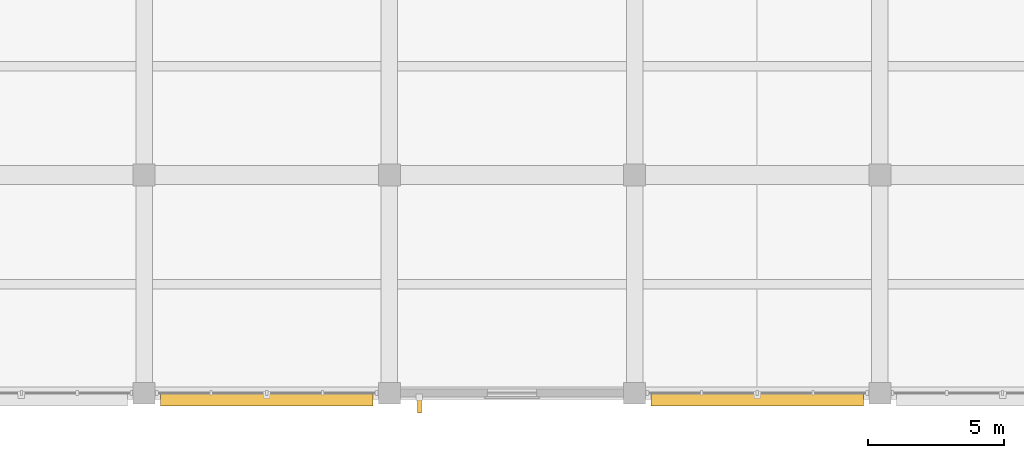
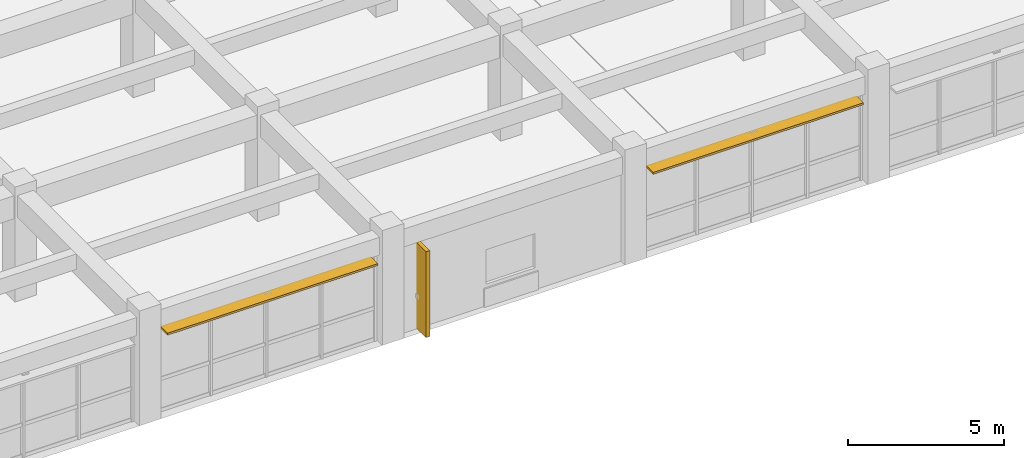
# One storey, part 44 of 50: 3 shading devices.
"""IFC4 building model written with IfcOpenShell, lengths in metres."""

from ifc_helpers import new_model, si_unit, direction, frame, frame_2d, origin, place, context, subcontext, project, spatial, rectangle, extrude, material, layer, layer_set, type_object, element, save


model = new_model("IFC4")

# Units and contexts
model_context = context("Model", 3, precision=1e-05, world=origin(), true_north=direction((0.0, 1.0)))
body_context = subcontext(model_context, "Body", "Model", "MODEL_VIEW")
ifc_project = project(units=[si_unit("LENGTHUNIT", "METRE"), si_unit("AREAUNIT", "SQUARE_METRE"), si_unit("VOLUMEUNIT", "CUBIC_METRE"), si_unit("PLANEANGLEUNIT", "RADIAN"), si_unit("MASSUNIT", "GRAM", prefix="KILO")], contexts=[model_context])

# Site, building, storey
site_placement = place(None, origin())
site = spatial("IfcSite", under=ifc_project, at=site_placement, CompositionType="ELEMENT")
building_placement = place(site_placement, origin())
building = spatial("IfcBuilding", under=site, at=building_placement, Name="Zaverband Oceanarium and Marine Research Institute", CompositionType="ELEMENT")
storey_placement = place(building_placement, frame((0.0, 0.0, 9.0)))
storey = spatial("IfcBuildingStorey", under=building, at=storey_placement, Name="L02", CompositionType="ELEMENT", Elevation=9.0)

# Shading devices
ifc_material_1 = material(Name="Concrete C40/50 precast brise-soleil", Category="concrete")
ifc_layer_1 = layer(ifc_material_1, 0.139892578125, Name="Concrete C40/50 precast brise-soleil")
ifc_layer_set_1 = layer_set([ifc_layer_1], Name="Concrete C40/50 precast brise-soleil")
shading_device_type_1 = type_object("IfcShadingDeviceType", Name="SHD-FIN-600", PredefinedType="JALOUSIE", material=ifc_layer_set_1)
shading_device_placement = place(storey_placement, frame((109.10498046875, -0.125, 0.0), z_axis=(0.0, 0.0, 1.0), x_axis=(0.0, -1.0, 0.0)))
element("IfcShadingDevice", 1, at=shading_device_placement, inside=storey, type_object=shading_device_type_1, Name="600 mm vertical precast brise-soleil fin SHD-FIN-600", PredefinedType="JALOUSIE", context=body_context, shape_type="SweptSolid", body=[
    extrude(rectangle(XDim=0.60009765625, YDim=0.139892578125, at=frame_2d((0.300048828125, 0.0))), origin(), (0.0, 0.0, 1.0), 3.3701171875),
])
ifc_material_2 = material(Name="Anodized bronze marine-grade aluminium", Category="aluminium")
ifc_layer_2 = layer(ifc_material_2, 0.080078125, Name="Anodized bronze marine-grade aluminium")
ifc_layer_set_2 = layer_set([ifc_layer_2], Name="Anodized bronze marine-grade aluminium")
shading_device_type_2 = type_object("IfcShadingDeviceType", Name="SHD-LVR-450", PredefinedType="USERDEFINED", material=ifc_layer_set_2)
for number, where, z_axis, x_axis, name in (
    (2, (99.60498046875, -0.239990234375, 3.239990234375), (0.0, 0.0, 1.0), (1.0, 0.0, 0.0), "450 mm horizontal solar shading louvre SHD-LVR-450"),
    (3, (117.60498046875, -0.239990234375, 3.239990234375), (0.0, 0.0, 1.0), (1.0, 0.0, 0.0), "450 mm horizontal solar shading louvre SHD-LVR-450"),
):
    element("IfcShadingDevice", number, at=place(storey_placement, frame(where, z_axis=z_axis, x_axis=x_axis)), inside=storey, type_object=shading_device_type_2, Name=name, ObjectType="LOUVRE", PredefinedType="USERDEFINED", context=body_context, shape_type="SweptSolid", body=[
        extrude(rectangle(XDim=7.7900390625, YDim=0.449951171875, at=frame_2d((3.89501953125, 0.0))), origin(), (0.0, 0.0, 1.0), 0.080078125),
    ])

save(model, "model.ifc")
